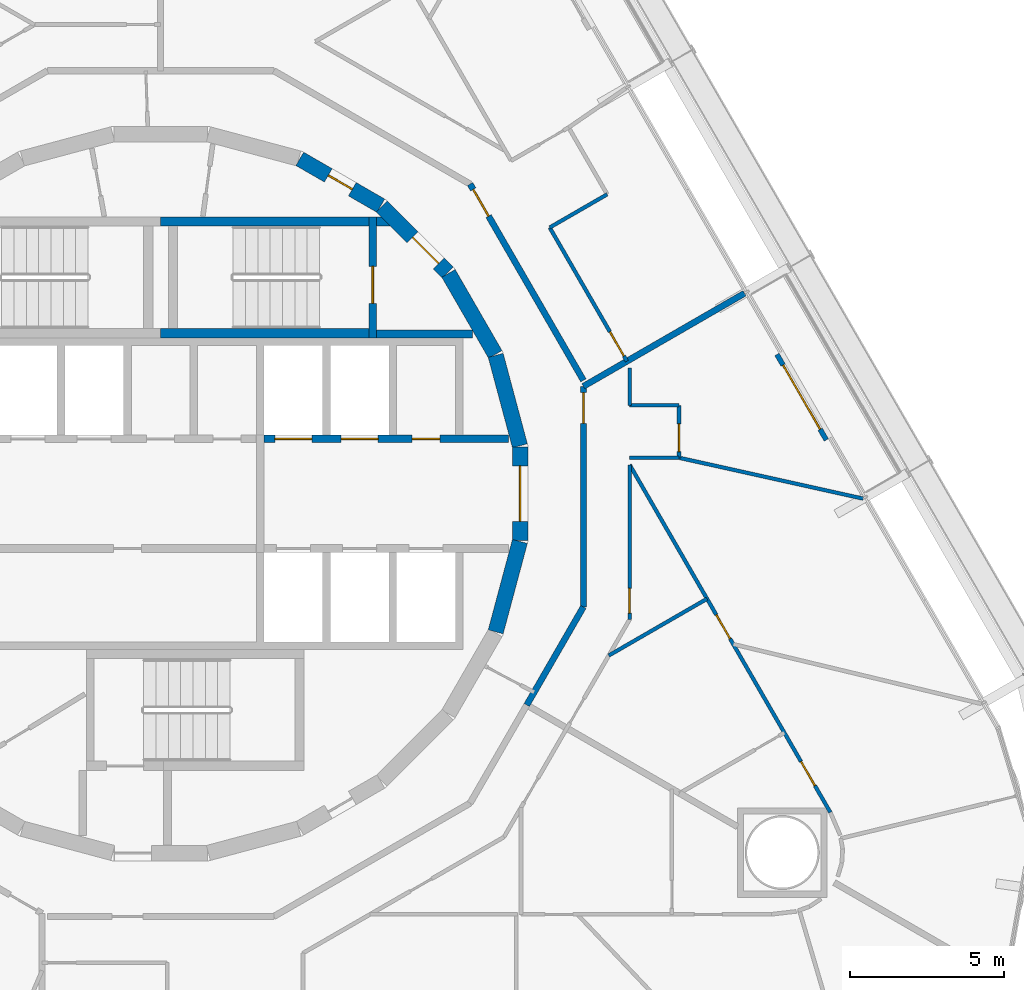
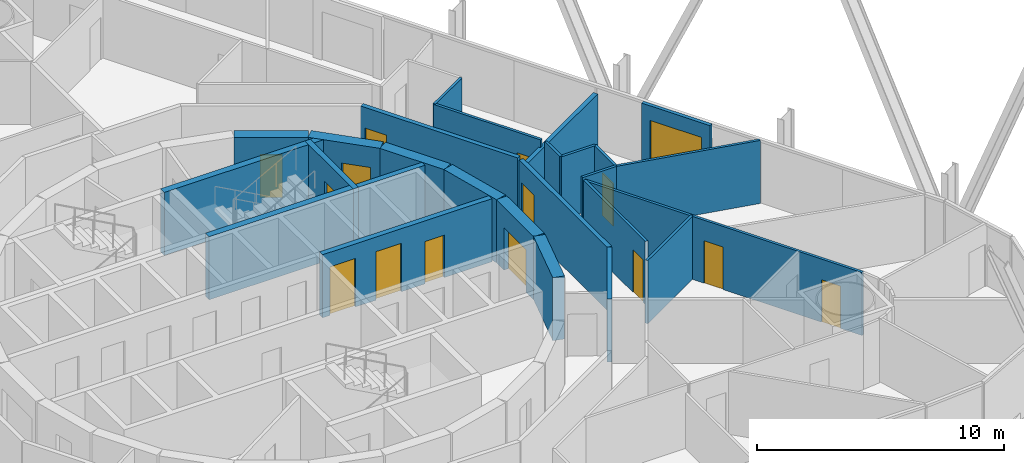
# One storey, part 19 of 22: 27 walls, 15 doors, 15 openings.
"""IFC4 building model written with IfcOpenShell, lengths in metres."""

from ifc_helpers import new_model, si_unit, direction, frame, frame_2d, origin, place, context, subcontext, project, spatial, polyline, rectangle, outline, extrude, material, layer, layer_set, type_object, element, fill, save


model = new_model("IFC4")

# Units and contexts
model_context = context("Model", 3, precision=1e-05, world=origin(), true_north=direction((0.0, 1.0)))
body_context = subcontext(model_context, "Body", "Model", "MODEL_VIEW")
ifc_project = project(units=[si_unit("LENGTHUNIT", "METRE"), si_unit("AREAUNIT", "SQUARE_METRE"), si_unit("VOLUMEUNIT", "CUBIC_METRE"), si_unit("PLANEANGLEUNIT", "RADIAN"), si_unit("MASSUNIT", "GRAM", prefix="KILO")], contexts=[model_context])

# Site, building, storey
site_placement = place(None, origin())
site = spatial("IfcSite", under=ifc_project, at=site_placement, CompositionType="ELEMENT")
building_placement = place(site_placement, origin())
building = spatial("IfcBuilding", under=site, at=building_placement, Name="Spindle Arch Residences", CompositionType="ELEMENT")
storey_placement = place(building_placement, frame((0.0, 0.0, 52.39990234375)))
storey = spatial("IfcBuildingStorey", under=building, at=storey_placement, Name="L11", CompositionType="ELEMENT", Elevation=52.39990234375)

# Wall
ifc_material_1 = material(Name="Concrete C50/60", Category="concrete")
ifc_layer_1 = layer(ifc_material_1, 0.5)
ifc_layer_set_1 = layer_set([ifc_layer_1], Name="Core outline wall 500")
wall_type_1 = type_object("IfcWallType", Name="Core outline wall 500", PredefinedType="SHEAR", material=ifc_layer_set_1)
wall_1_placement = place(storey_placement, frame((10.858154296875, -4.479248046875, 0.0), z_axis=(0.0, 0.0, 1.0), x_axis=(0.258734743916, 0.965948410781, 0.0)))
element("IfcWall", 1, at=wall_1_placement, inside=storey, type_object=wall_type_1, Name="Core outline wall 5", PredefinedType="SHEAR", context=body_context, shape_type="SweptSolid", body=[
    extrude(rectangle(XDim=3.03271484375, YDim=0.5, at=frame_2d((1.516357421875, 0.0))), origin(), (0.0, 0.0, 1.0), 3.1201171875),
])

# Wall, opening, door
wall_2_placement = place(storey_placement, frame((11.647216796875, -1.516357421875, 0.0), z_axis=(0.0, 0.0, 1.0), x_axis=(0.0, 1.0, 0.0)))
wall_2 = element("IfcWall", 2, at=wall_2_placement, inside=storey, type_object=wall_type_1, Name="Core outline wall 6", PredefinedType="SHEAR", context=body_context, shape_type="SweptSolid", body=[
    extrude(rectangle(XDim=3.03271484375, YDim=0.5, at=frame_2d((1.516357421875, 0.0))), origin(), (0.0, 0.0, 1.0), 3.1201171875),
])
opening_1_placement = place(wall_2_placement, frame((0.6162109375, 0.0, 0.0)))
opening_1 = element("IfcOpeningElement", 3, at=opening_1_placement, cuts=wall_2, Name="Opening R1B0-FE01", PredefinedType="OPENING", context=body_context, shape_type="SweptSolid", body=[
    extrude(rectangle(XDim=1.800048828125, YDim=2.10009765625, at=frame_2d((0.89990234375, 1.050048828125))), frame((0.0, 0.260009765625, 0.0), z_axis=(0.0, -1.0, 0.0), x_axis=(1.0, 0.0, 0.0)), (0.0, 0.0, 1.0), 0.52001953125),
])
ifc_material_2 = material(Name="Steel, fire-resisting door", Category="steel")
door_type_1 = type_object("IfcDoorType", Name="Fire-lift lobby door 1800x2100", OperationType="DOUBLE_DOOR_SINGLE_SWING", PredefinedType="DOOR", material=ifc_material_2)
door_1_placement = place(opening_1_placement, origin())
door_1 = element("IfcDoor", 4, at=door_1_placement, inside=storey, type_object=door_type_1, Name="Fire-lift lobby door R1B0-FE01", OperationType="DOUBLE_DOOR_SINGLE_SWING", OverallHeight=2.10009765625, OverallWidth=1.800048828125, PredefinedType="DOOR", context=body_context, shape_type="SweptSolid", body=[
    extrude(rectangle(XDim=1.800048828125, YDim=2.10009765625, at=frame_2d((0.89990234375, 1.050048828125))), frame((0.0, 0.02490234375, 0.0), z_axis=(0.0, -1.0, 0.0), x_axis=(1.0, 0.0, 0.0)), (0.0, 0.0, 1.0), 0.050048828125),
])
fill(opening_1, door_1)

# Walls
for number, where, z_axis, x_axis, name in (
    (5, (11.642822265625, 1.5498046875, 0.0), (0.0, 0.0, 1.0), (-0.258734743916, 0.965948410781, 0.0), "Core outline wall 7"),
    (6, (10.84521484375, 4.510498046875, 0.0), (0.0, 0.0, 1.0), (-0.500087131594, 0.865975092491, 0.0), "Core outline wall 8"),
):
    element("IfcWall", number, at=place(storey_placement, frame(where, z_axis=z_axis, x_axis=x_axis)), inside=storey, type_object=wall_type_1, Name=name, PredefinedType="SHEAR", context=body_context, shape_type="SweptSolid", body=[
        extrude(rectangle(XDim=3.03271484375, YDim=0.5, at=frame_2d((1.516357421875, 0.0))), origin(), (0.0, 0.0, 1.0), 3.1201171875),
    ])

# Wall, opening, door
wall_3_placement = place(storey_placement, frame((9.30810546875, 7.163818359375, 0.0), z_axis=(0.0, 0.0, 1.0), x_axis=(-0.707106781187, 0.707106781187, 0.0)))
wall_3 = element("IfcWall", 7, at=wall_3_placement, inside=storey, type_object=wall_type_1, Name="Core outline wall 9", PredefinedType="SHEAR", context=body_context, shape_type="SweptSolid", body=[
    extrude(rectangle(XDim=3.032470703125, YDim=0.5, at=frame_2d((1.51611328125, 0.0))), origin(), (0.0, 0.0, 1.0), 3.1201171875),
])
opening_2_placement = place(wall_3_placement, frame((0.416259765625, 0.0, 0.0)))
opening_2 = element("IfcOpeningElement", 8, at=opening_2_placement, cuts=wall_3, Name="Opening R1B0-AD01", PredefinedType="OPENING", context=body_context, shape_type="SweptSolid", body=[
    extrude(rectangle(XDim=1.199951171875, YDim=2.10009765625, at=frame_2d((0.60009765625, 1.050048828125))), frame((0.0, 0.260009765625, 0.0), z_axis=(0.0, -1.0, 0.0), x_axis=(1.0, 0.0, 0.0)), (0.0, 0.0, 1.0), 0.52001953125),
])
ifc_material_3 = material(Name="Steel, fire-resisting door", Category="steel")
door_type_2 = type_object("IfcDoorType", Name="Stair airlock door 1200x2100", OperationType="SINGLE_SWING_LEFT", PredefinedType="DOOR", material=ifc_material_3)
door_2_placement = place(opening_2_placement, origin())
door_2 = element("IfcDoor", 9, at=door_2_placement, inside=storey, type_object=door_type_2, Name="Stair airlock door R1B0-AD01", OperationType="SINGLE_SWING_RIGHT", OverallHeight=2.10009765625, OverallWidth=1.199951171875, PredefinedType="DOOR", context=body_context, shape_type="SweptSolid", body=[
    extrude(rectangle(XDim=1.199951171875, YDim=2.10009765625, at=frame_2d((0.60009765625, 1.050048828125))), frame((0.0, 0.02490234375, 0.0), z_axis=(0.0, -1.0, 0.0), x_axis=(1.0, 0.0, 0.0)), (0.0, 0.0, 1.0), 0.050048828125),
])
fill(opening_2, door_2)

wall_4_placement = place(storey_placement, frame((7.13671875, 9.32861328125, 0.0), z_axis=(0.0, 0.0, 1.0), x_axis=(-0.865975092491, 0.500087131594, 0.0)))
wall_4 = element("IfcWall", 10, at=wall_4_placement, inside=storey, type_object=wall_type_1, Name="Core outline wall 10", PredefinedType="SHEAR", context=body_context, shape_type="SweptSolid", body=[
    extrude(rectangle(XDim=3.03271484375, YDim=0.5, at=frame_2d((1.516357421875, 0.0))), origin(), (0.0, 0.0, 1.0), 3.1201171875),
])
opening_3_placement = place(wall_4_placement, frame((1.06640625, 0.0, 0.0)))
opening_3 = element("IfcOpeningElement", 11, at=opening_3_placement, cuts=wall_4, Name="Opening R1B0-WD10", PredefinedType="OPENING", context=body_context, shape_type="SweptSolid", body=[
    extrude(rectangle(XDim=0.89990234375, YDim=2.10009765625, at=frame_2d((0.449951171875, 1.050048828125))), frame((0.0, 0.260009765625, 0.0), z_axis=(0.0, -1.0, 0.0), x_axis=(1.0, 0.0, 0.0)), (0.0, 0.0, 1.0), 0.52001953125),
])
ifc_material_4 = material(Name="Steel, fire-resisting door", Category="steel")
door_type_3 = type_object("IfcDoorType", Name="Service room door 900x2100", OperationType="SINGLE_SWING_LEFT", PredefinedType="DOOR", material=ifc_material_4)
door_3_placement = place(opening_3_placement, origin())
door_3 = element("IfcDoor", 12, at=door_3_placement, inside=storey, type_object=door_type_3, Name="Service room door R1B0-WD10", OperationType="SINGLE_SWING_LEFT", OverallHeight=2.10009765625, OverallWidth=0.89990234375, PredefinedType="DOOR", context=body_context, shape_type="SweptSolid", body=[
    extrude(rectangle(XDim=0.89990234375, YDim=2.10009765625, at=frame_2d((0.449951171875, 1.050048828125))), frame((0.0, 0.02490234375, 0.0), z_axis=(0.0, -1.0, 0.0), x_axis=(1.0, 0.0, 0.0)), (0.0, 0.0, 1.0), 0.050048828125),
])
fill(opening_3, door_3)

ifc_material_5 = material(Name="Calcium silicate block, plastered")
ifc_layer_2 = layer(ifc_material_5, 0.199951171875)
ifc_layer_set_2 = layer_set([ifc_layer_2], Name="Corridor wall 200")
wall_type_2 = type_object("IfcWallType", Name="Corridor wall 200", PredefinedType="STANDARD", material=ifc_layer_set_2)
wall_5_placement = place(storey_placement, frame((13.699951171875, 3.6708984375, 0.0), z_axis=(0.0, 0.0, 1.0), x_axis=(-0.500001669485, 0.866024439905, 0.0)))
wall_5 = element("IfcWall", 13, at=wall_5_placement, inside=storey, type_object=wall_type_2, Name="Corridor wall R1B0-W004", PredefinedType="STANDARD", context=body_context, shape_type="SweptSolid", body=[
    extrude(rectangle(XDim=7.341796875, YDim=0.199951171875, at=frame_2d((3.6708984375, 0.0))), origin(), (0.0, 0.0, 1.0), 3.1201171875),
])
opening_4_placement = place(wall_5_placement, frame((6.141845703125, 0.0, 0.0)))
opening_4 = element("IfcOpeningElement", 14, at=opening_4_placement, cuts=wall_5, Name="Opening R1B0-FD01", PredefinedType="OPENING", context=body_context, shape_type="SweptSolid", body=[
    extrude(rectangle(XDim=1.0, YDim=2.10009765625, at=frame_2d((0.5, 1.050048828125))), frame((0.0, 0.10986328125, 0.0), z_axis=(0.0, -1.0, 0.0), x_axis=(1.0, 0.0, 0.0)), (0.0, 0.0, 1.0), 0.219970703125),
])
ifc_material_6 = material(Name="Timber, fire-resisting door set", Category="wood")
door_type_4 = type_object("IfcDoorType", Name="Flat entrance door 1000x2100", OperationType="NOTDEFINED", PredefinedType="DOOR", material=ifc_material_6)
door_4_placement = place(opening_4_placement, origin())
door_4 = element("IfcDoor", 15, at=door_4_placement, inside=storey, type_object=door_type_4, Name="Flat entrance door R1B0-FD01", OperationType="SINGLE_SWING_RIGHT", OverallHeight=2.10009765625, OverallWidth=1.0, PredefinedType="DOOR", context=body_context, shape_type="SweptSolid", body=[
    extrude(rectangle(XDim=1.0, YDim=2.10009765625, at=frame_2d((0.5, 1.050048828125))), frame((0.0, 0.02490234375, 0.0), z_axis=(0.0, -1.0, 0.0), x_axis=(1.0, 0.0, 0.0)), (0.0, 0.0, 1.0), 0.050048828125),
])
fill(opening_4, door_4)

# Wall
wall_6_placement = place(storey_placement, frame((11.864501953125, -6.85009765625, 0.0), z_axis=(0.0, 0.0, 1.0), x_axis=(0.499987270552, 0.86603275301, 0.0)))
element("IfcWall", 16, at=wall_6_placement, inside=storey, type_object=wall_type_2, Name="Corridor wall R1B0-W007", PredefinedType="STANDARD", context=body_context, shape_type="SweptSolid", body=[
    extrude(rectangle(XDim=3.6708984375, YDim=0.199951171875, at=frame_2d((1.83544921875, 0.0))), origin(), (0.0, 0.0, 1.0), 3.1201171875),
])

# Wall, opening, door
wall_7_placement = place(storey_placement, frame((13.699951171875, -3.6708984375, 0.0), z_axis=(0.0, 0.0, 1.0), x_axis=(0.0, 1.0, 0.0)))
wall_7 = element("IfcWall", 17, at=wall_7_placement, inside=storey, type_object=wall_type_2, Name="Corridor wall R1B0-W008", PredefinedType="STANDARD", context=body_context, shape_type="SweptSolid", body=[
    extrude(rectangle(XDim=7.146484375, YDim=0.199951171875, at=frame_2d((3.5732421875, 0.0))), origin(), (0.0, 0.0, 1.0), 3.1201171875),
])
opening_5_placement = place(wall_7_placement, frame((5.946533203125, 0.0, 0.0)))
opening_5 = element("IfcOpeningElement", 18, at=opening_5_placement, cuts=wall_7, Name="Opening R1B0-FD06", PredefinedType="OPENING", context=body_context, shape_type="SweptSolid", body=[
    extrude(rectangle(XDim=1.0, YDim=2.10009765625, at=frame_2d((0.5, 1.050048828125))), frame((0.0, 0.10986328125, 0.0), z_axis=(0.0, -1.0, 0.0), x_axis=(1.0, 0.0, 0.0)), (0.0, 0.0, 1.0), 0.219970703125),
])
door_5_placement = place(opening_5_placement, origin())
door_5 = element("IfcDoor", 19, at=door_5_placement, inside=storey, type_object=door_type_4, Name="Flat entrance door R1B0-FD06", OperationType="SINGLE_SWING_LEFT", OverallHeight=2.10009765625, OverallWidth=1.0, PredefinedType="DOOR", context=body_context, shape_type="SweptSolid", body=[
    extrude(rectangle(XDim=1.0, YDim=2.10009765625, at=frame_2d((0.5, 1.050048828125))), frame((0.0, 0.02490234375, 0.0), z_axis=(0.0, -1.0, 0.0), x_axis=(1.0, 0.0, 0.0)), (0.0, 0.0, 1.0), 0.050048828125),
])
fill(opening_5, door_5)

# Wall, openings, doors
ifc_material_7 = material(Name="Concrete C40/50", Category="concrete")
ifc_layer_3 = layer(ifc_material_7, 0.25)
ifc_layer_set_3 = layer_set([ifc_layer_3], Name="Fire-lift lobby wall 250")
wall_type_3 = type_object("IfcWallType", Name="Fire-lift lobby wall 250", PredefinedType="SHEAR", material=ifc_layer_set_3)
wall_8_placement = place(storey_placement, frame((3.35009765625, 1.77490234375, 0.0), z_axis=(0.0, 0.0, 1.0), x_axis=(1.0, 0.0, 0.0)))
wall_8 = element("IfcWall", 20, at=wall_8_placement, inside=storey, type_object=wall_type_3, Name="Lift shaft front wall NE", PredefinedType="SHEAR", context=body_context, shape_type="SweptSolid", body=[
    extrude(rectangle(XDim=7.929931640625, YDim=0.25, at=frame_2d((3.96484375, 0.0))), origin(), (0.0, 0.0, 1.0), 3.1201171875),
])
opening_6_placement = place(wall_8_placement, frame((0.35009765625, 0.0, 0.0)))
opening_6 = element("IfcOpeningElement", 21, at=opening_6_placement, cuts=wall_8, Name="Opening R1B0-SLD01", PredefinedType="OPENING", context=body_context, shape_type="SweptSolid", body=[
    extrude(rectangle(XDim=1.199951171875, YDim=2.39990234375, at=frame_2d((0.60009765625, 1.199951171875))), frame((0.0, 0.135009765625, 0.0), z_axis=(0.0, -1.0, 0.0), x_axis=(1.0, 0.0, 0.0)), (0.0, 0.0, 1.0), 0.27001953125),
])
opening_7_placement = place(wall_8_placement, frame((2.5, 0.0, 0.0)))
opening_7 = element("IfcOpeningElement", 22, at=opening_7_placement, cuts=wall_8, Name="Opening R1B0-SLD02", PredefinedType="OPENING", context=body_context, shape_type="SweptSolid", body=[
    extrude(rectangle(XDim=1.199951171875, YDim=2.39990234375, at=frame_2d((0.60009765625, 1.199951171875))), frame((0.0, 0.135009765625, 0.0), z_axis=(0.0, -1.0, 0.0), x_axis=(1.0, 0.0, 0.0)), (0.0, 0.0, 1.0), 0.27001953125),
])
opening_8_placement = place(wall_8_placement, frame((4.800048828125, 0.0, 0.0)))
opening_8 = element("IfcOpeningElement", 23, at=opening_8_placement, cuts=wall_8, Name="Opening R1B0-WD03", PredefinedType="OPENING", context=body_context, shape_type="SweptSolid", body=[
    extrude(rectangle(XDim=0.89990234375, YDim=2.10009765625, at=frame_2d((0.449951171875, 1.050048828125))), frame((0.0, 0.135009765625, 0.0), z_axis=(0.0, -1.0, 0.0), x_axis=(1.0, 0.0, 0.0)), (0.0, 0.0, 1.0), 0.27001953125),
])
ifc_material_8 = material(Name="Steel, fire-resisting landing door", Category="steel")
door_type_5 = type_object("IfcDoorType", Name="Service lift landing door 1200x2400", OperationType="DOUBLE_DOOR_SLIDING", PredefinedType="DOOR", material=ifc_material_8)
door_6_placement = place(opening_6_placement, origin())
door_6 = element("IfcDoor", 24, at=door_6_placement, inside=storey, type_object=door_type_5, Name="Service lift landing door R1B0-SLD01", OperationType="DOUBLE_DOOR_SLIDING", OverallHeight=2.39990234375, OverallWidth=1.199951171875, PredefinedType="DOOR", context=body_context, shape_type="SweptSolid", body=[
    extrude(rectangle(XDim=1.199951171875, YDim=2.39990234375, at=frame_2d((0.60009765625, 1.199951171875))), frame((0.0, 0.02490234375, 0.0), z_axis=(0.0, -1.0, 0.0), x_axis=(1.0, 0.0, 0.0)), (0.0, 0.0, 1.0), 0.050048828125),
])
fill(opening_6, door_6)
door_7_placement = place(opening_7_placement, origin())
door_7 = element("IfcDoor", 25, at=door_7_placement, inside=storey, type_object=door_type_5, Name="Service lift landing door R1B0-SLD02", OperationType="DOUBLE_DOOR_SLIDING", OverallHeight=2.39990234375, OverallWidth=1.199951171875, PredefinedType="DOOR", context=body_context, shape_type="SweptSolid", body=[
    extrude(rectangle(XDim=1.199951171875, YDim=2.39990234375, at=frame_2d((0.60009765625, 1.199951171875))), frame((0.0, 0.02490234375, 0.0), z_axis=(0.0, -1.0, 0.0), x_axis=(1.0, 0.0, 0.0)), (0.0, 0.0, 1.0), 0.050048828125),
])
fill(opening_7, door_7)
door_8_placement = place(opening_8_placement, origin())
door_8 = element("IfcDoor", 26, at=door_8_placement, inside=storey, type_object=door_type_3, Name="Service room door R1B0-WD03", OperationType="SINGLE_SWING_RIGHT", OverallHeight=2.10009765625, OverallWidth=0.89990234375, PredefinedType="DOOR", context=body_context, shape_type="SweptSolid", body=[
    extrude(rectangle(XDim=0.89990234375, YDim=2.10009765625, at=frame_2d((0.449951171875, 1.050048828125))), frame((0.0, 0.02490234375, 0.0), z_axis=(0.0, -1.0, 0.0), x_axis=(1.0, 0.0, 0.0)), (0.0, 0.0, 1.0), 0.050048828125),
])
fill(opening_8, door_8)

# Wall, opening, door
ifc_material_9 = material(Name="Plasterboard on steel studs", Category="steel")
ifc_layer_4 = layer(ifc_material_9, 0.1201171875)
ifc_layer_set_4 = layer_set([ifc_layer_4], Name="Flat partition 120")
wall_type_4 = type_object("IfcWallType", Name="Flat partition 120", PredefinedType="PARTITIONING", material=ifc_layer_set_4)
wall_9_placement = place(storey_placement, frame((15.109619140625, 4.289306640625, 0.0), z_axis=(0.0, 0.0, 1.0), x_axis=(-0.500033654285, 0.866005972602, 0.0)))
wall_9 = element("IfcWall", 27, at=wall_9_placement, inside=storey, type_object=wall_type_4, Name="Flat partition R1B0-W029", PredefinedType="PARTITIONING", context=body_context, shape_type="SweptSolid", body=[
    extrude(rectangle(XDim=5.002685546875, YDim=0.1201171875, at=frame_2d((2.50146484375, 0.0))), origin(), (0.0, 0.0, 1.0), 3.1201171875),
])
opening_9_placement = place(wall_9_placement, frame((0.199951171875, 0.0, 0.0)))
opening_9 = element("IfcOpeningElement", 28, at=opening_9_placement, cuts=wall_9, Name="Opening R1B0-ID01", PredefinedType="OPENING", context=body_context, shape_type="SweptSolid", body=[
    extrude(rectangle(XDim=0.89990234375, YDim=2.10009765625, at=frame_2d((0.449951171875, 1.050048828125))), frame((0.0, 0.070068359375, 0.0), z_axis=(0.0, -1.0, 0.0), x_axis=(1.0, 0.0, 0.0)), (0.0, 0.0, 1.0), 0.14013671875),
])
ifc_material_10 = material(Name="Timber door set", Category="wood")
door_type_6 = type_object("IfcDoorType", Name="Room door 900x2100", OperationType="NOTDEFINED", PredefinedType="DOOR", material=ifc_material_10)
door_9_placement = place(opening_9_placement, origin())
door_9 = element("IfcDoor", 29, at=door_9_placement, inside=storey, type_object=door_type_6, Name="Room door R1B0-ID01", OperationType="SINGLE_SWING_LEFT", OverallHeight=2.10009765625, OverallWidth=0.89990234375, PredefinedType="DOOR", context=body_context, shape_type="SweptSolid", body=[
    extrude(rectangle(XDim=0.89990234375, YDim=2.10009765625, at=frame_2d((0.449951171875, 1.050048828125))), frame((0.0, 0.02490234375, 0.0), z_axis=(0.0, -1.0, 0.0), x_axis=(1.0, 0.0, 0.0)), (0.0, 0.0, 1.0), 0.050048828125),
])
fill(opening_9, door_9)

# Wall
wall_10_placement = place(storey_placement, frame((12.608154296875, 8.62158203125, 0.0), z_axis=(0.0, 0.0, 1.0), x_axis=(0.866005997533, 0.500033611107, 0.0)))
element("IfcWall", 30, at=wall_10_placement, inside=storey, type_object=wall_type_4, Name="Flat partition R1B0-W030", PredefinedType="PARTITIONING", context=body_context, shape_type="SweptSolid", body=[
    extrude(rectangle(XDim=2.150634765625, YDim=0.1201171875, at=frame_2d((1.0751953125, 0.0))), origin(), (0.0, 0.0, 1.0), 3.1201171875),
])

# Wall, opening, door
wall_11_placement = place(storey_placement, frame((16.80029296875, 1.16162109375, 0.0), z_axis=(0.0, 0.0, 1.0), x_axis=(0.0, 1.0, 0.0)))
wall_11 = element("IfcWall", 31, at=wall_11_placement, inside=storey, type_object=wall_type_4, Name="Flat partition R1B0-W111", PredefinedType="PARTITIONING", context=body_context, shape_type="SweptSolid", body=[
    extrude(rectangle(XDim=1.7001953125, YDim=0.1201171875, at=frame_2d((0.85009765625, 0.0))), origin(), (0.0, 0.0, 1.0), 3.1201171875),
])
opening_10_placement = place(wall_11_placement, frame((0.199951171875, 0.0, 0.0)))
opening_10 = element("IfcOpeningElement", 32, at=opening_10_placement, cuts=wall_11, Name="Opening R1B0-ID31", PredefinedType="OPENING", context=body_context, shape_type="SweptSolid", body=[
    extrude(rectangle(XDim=0.89990234375, YDim=2.10009765625, at=frame_2d((0.449951171875, 1.050048828125))), frame((0.0, 0.070068359375, 0.0), z_axis=(0.0, -1.0, 0.0), x_axis=(1.0, 0.0, 0.0)), (0.0, 0.0, 1.0), 0.14013671875),
])
door_10_placement = place(opening_10_placement, origin())
door_10 = element("IfcDoor", 33, at=door_10_placement, inside=storey, type_object=door_type_6, Name="Room door R1B0-ID31", OperationType="SINGLE_SWING_LEFT", OverallHeight=2.10009765625, OverallWidth=0.89990234375, PredefinedType="DOOR", context=body_context, shape_type="SweptSolid", body=[
    extrude(rectangle(XDim=0.89990234375, YDim=2.10009765625, at=frame_2d((0.449951171875, 1.050048828125))), frame((0.0, 0.02490234375, 0.0), z_axis=(0.0, -1.0, 0.0), x_axis=(1.0, 0.0, 0.0)), (0.0, 0.0, 1.0), 0.050048828125),
])
fill(opening_10, door_10)

# Walls
wall_12_placement = place(storey_placement, frame((16.80029296875, 2.86181640625, 0.0), z_axis=(0.0, 0.0, 1.0), x_axis=(-1.0, 0.0, 0.0)))
element("IfcWall", 34, at=wall_12_placement, inside=storey, type_object=wall_type_4, Name="Flat partition R1B0-W112", PredefinedType="PARTITIONING", context=body_context, shape_type="SweptSolid", body=[
    extrude(rectangle(XDim=1.600341796875, YDim=0.1201171875, at=frame_2d((0.80029296875, 0.0))), origin(), (0.0, 0.0, 1.0), 3.1201171875),
])
wall_13_placement = place(storey_placement, frame((15.199951171875, 2.86181640625, 0.0), z_axis=(0.0, 0.0, 1.0), x_axis=(0.0, 1.0, 0.0)))
element("IfcWall", 35, at=wall_13_placement, inside=storey, type_object=wall_type_4, Name="Flat partition R1B0-W113", PredefinedType="PARTITIONING", context=body_context, shape_type="SweptSolid", body=[
    extrude(rectangle(XDim=1.2109375, YDim=0.1201171875, at=frame_2d((0.60546875, 0.0))), origin(), (0.0, 0.0, 1.0), 3.1201171875),
])

# Wall, opening, door
wall_14_placement = place(storey_placement, frame((15.199951171875, -4.07275390625, 0.0), z_axis=(0.0, 0.0, 1.0), x_axis=(0.0, 1.0, 0.0)))
wall_14 = element("IfcWall", 36, at=wall_14_placement, inside=storey, type_object=wall_type_4, Name="Flat partition R1B0-W114", PredefinedType="PARTITIONING", context=body_context, shape_type="SweptSolid", body=[
    extrude(rectangle(XDim=5.00537109375, YDim=0.1201171875, at=frame_2d((2.502685546875, 0.0))), origin(), (0.0, 0.0, 1.0), 3.1201171875),
])
opening_11_placement = place(wall_14_placement, frame((0.199951171875, 0.0, 0.0)))
opening_11 = element("IfcOpeningElement", 37, at=opening_11_placement, cuts=wall_14, Name="Opening R1B0-BD06", PredefinedType="OPENING", context=body_context, shape_type="SweptSolid", body=[
    extrude(rectangle(XDim=0.800048828125, YDim=2.10009765625, at=frame_2d((0.39990234375, 1.050048828125))), frame((0.0, 0.070068359375, 0.0), z_axis=(0.0, -1.0, 0.0), x_axis=(1.0, 0.0, 0.0)), (0.0, 0.0, 1.0), 0.14013671875),
])
ifc_material_11 = material(Name="Timber door set", Category="wood")
door_type_7 = type_object("IfcDoorType", Name="Bathroom door 800x2100", OperationType="NOTDEFINED", PredefinedType="DOOR", material=ifc_material_11)
door_11_placement = place(opening_11_placement, origin())
door_11 = element("IfcDoor", 38, at=door_11_placement, inside=storey, type_object=door_type_7, Name="Bathroom door R1B0-BD06", OperationType="SINGLE_SWING_LEFT", OverallHeight=2.10009765625, OverallWidth=0.800048828125, PredefinedType="DOOR", context=body_context, shape_type="SweptSolid", body=[
    extrude(rectangle(XDim=0.800048828125, YDim=2.10009765625, at=frame_2d((0.39990234375, 1.050048828125))), frame((0.0, 0.02490234375, 0.0), z_axis=(0.0, -1.0, 0.0), x_axis=(1.0, 0.0, 0.0)), (0.0, 0.0, 1.0), 0.050048828125),
])
fill(opening_11, door_11)

# Walls
wall_15_placement = place(storey_placement, frame((15.199951171875, 1.16162109375, 0.0), z_axis=(0.0, 0.0, 1.0), x_axis=(1.0, 0.0, 0.0)))
element("IfcWall", 39, at=wall_15_placement, inside=storey, type_object=wall_type_4, Name="Flat partition R1B0-W115", PredefinedType="PARTITIONING", context=body_context, shape_type="SweptSolid", body=[
    extrude(rectangle(XDim=1.600341796875, YDim=0.1201171875, at=frame_2d((0.80029296875, 0.0))), origin(), (0.0, 0.0, 1.0), 3.1201171875),
])
wall_16_placement = place(storey_placement, frame((16.80029296875, 1.16162109375, 0.0), z_axis=(0.0, 0.0, 1.0), x_axis=(0.976218101949, -0.216790722652, 0.0)))
element("IfcWall", 40, at=wall_16_placement, inside=storey, type_object=wall_type_4, Name="Flat partition R1B0-W116", PredefinedType="PARTITIONING", context=body_context, shape_type="SweptSolid", body=[
    extrude(rectangle(XDim=6.10498046875, YDim=0.1201171875, at=frame_2d((3.052490234375, 0.0))), origin(), (0.0, 0.0, 1.0), 3.1201171875),
])

# Wall, openings, doors
wall_17_placement = place(storey_placement, frame((21.700927734375, -10.3271484375, 0.0), z_axis=(0.0, 0.0, 1.0), x_axis=(-0.500008528526, 0.866020479782, 0.0)))
wall_17 = element("IfcWall", 41, at=wall_17_placement, inside=storey, type_object=wall_type_4, Name="Flat partition R1B0-W122", PredefinedType="PARTITIONING", context=body_context, shape_type="SweptSolid", body=[
    extrude(rectangle(XDim=13.001708984375, YDim=0.1201171875, at=frame_2d((6.5009765625, 0.0))), origin(), (0.0, 0.0, 1.0), 3.1201171875),
])
opening_12_placement = place(wall_17_placement, frame((6.490478515625, 0.0, 0.0)))
opening_12 = element("IfcOpeningElement", 42, at=opening_12_placement, cuts=wall_17, Name="Opening R1B0-ID33", PredefinedType="OPENING", context=body_context, shape_type="SweptSolid", body=[
    extrude(rectangle(XDim=0.89990234375, YDim=2.10009765625, at=frame_2d((0.449951171875, 1.050048828125))), frame((0.0, 0.070068359375, 0.0), z_axis=(0.0, -1.0, 0.0), x_axis=(1.0, 0.0, 0.0)), (0.0, 0.0, 1.0), 0.14013671875),
])
opening_13_placement = place(wall_17_placement, frame((1.0, 0.0, 0.0)))
opening_13 = element("IfcOpeningElement", 43, at=opening_13_placement, cuts=wall_17, Name="Opening R1B0-ID35", PredefinedType="OPENING", context=body_context, shape_type="SweptSolid", body=[
    extrude(rectangle(XDim=0.89990234375, YDim=2.10009765625, at=frame_2d((0.449951171875, 1.050048828125))), frame((0.0, 0.070068359375, 0.0), z_axis=(0.0, -1.0, 0.0), x_axis=(1.0, 0.0, 0.0)), (0.0, 0.0, 1.0), 0.14013671875),
])
door_12_placement = place(opening_12_placement, origin())
door_12 = element("IfcDoor", 44, at=door_12_placement, inside=storey, type_object=door_type_6, Name="Room door R1B0-ID33", OperationType="SINGLE_SWING_LEFT", OverallHeight=2.10009765625, OverallWidth=0.89990234375, PredefinedType="DOOR", context=body_context, shape_type="SweptSolid", body=[
    extrude(rectangle(XDim=0.89990234375, YDim=2.10009765625, at=frame_2d((0.449951171875, 1.050048828125))), frame((0.0, 0.02490234375, 0.0), z_axis=(0.0, -1.0, 0.0), x_axis=(1.0, 0.0, 0.0)), (0.0, 0.0, 1.0), 0.050048828125),
])
fill(opening_12, door_12)
door_13_placement = place(opening_13_placement, origin())
door_13 = element("IfcDoor", 45, at=door_13_placement, inside=storey, type_object=door_type_6, Name="Room door R1B0-ID35", OperationType="SINGLE_SWING_LEFT", OverallHeight=2.10009765625, OverallWidth=0.89990234375, PredefinedType="DOOR", context=body_context, shape_type="SweptSolid", body=[
    extrude(rectangle(XDim=0.89990234375, YDim=2.10009765625, at=frame_2d((0.449951171875, 1.050048828125))), frame((0.0, 0.02490234375, 0.0), z_axis=(0.0, -1.0, 0.0), x_axis=(1.0, 0.0, 0.0)), (0.0, 0.0, 1.0), 0.050048828125),
])
fill(opening_13, door_13)

# Walls
wall_18_placement = place(storey_placement, frame((17.7060546875, -3.407958984375, 0.0), z_axis=(0.0, 0.0, 1.0), x_axis=(-0.866027421574, -0.49999650507, 0.0)))
element("IfcWall", 46, at=wall_18_placement, inside=storey, type_object=wall_type_4, Name="Flat partition R1B0-W124", PredefinedType="PARTITIONING", context=body_context, shape_type="SweptSolid", body=[
    extrude(rectangle(XDim=3.67578125, YDim=0.1201171875, at=frame_2d((1.837890625, 0.0))), origin(), (0.0, 0.0, 1.0), 3.1201171875),
])
ifc_material_12 = material(Name="Calcium silicate block, plastered")
ifc_layer_5 = layer(ifc_material_12, 0.199951171875)
ifc_layer_set_5 = layer_set([ifc_layer_5], Name="Flat party wall 200 under beam 2730")
wall_type_5 = type_object("IfcWallType", Name="Flat party wall 200 under beam 2730", PredefinedType="STANDARD", material=ifc_layer_set_5)
wall_19_placement = place(storey_placement, frame((13.699951171875, 3.4755859375, 0.0), z_axis=(0.0, 0.0, 1.0), x_axis=(0.866013584312, 0.500020471368, 0.0)))
element("IfcWall", 47, at=wall_19_placement, inside=storey, type_object=wall_type_5, Name="Flat party wall R1B0-W018", PredefinedType="STANDARD", context=body_context, shape_type="SweptSolid", body=[
    extrude(rectangle(XDim=6.027587890625, YDim=0.199951171875, at=frame_2d((3.013671875, 0.0))), origin(), (0.0, 0.0, 1.0), 2.72998046875),
])

# Wall, opening, door
ifc_material_13 = material(Name="Non-combustible mineral wool insulated aluminium faced external wall (K0)", Category="aluminium")
ifc_layer_6 = layer(ifc_material_13, 0.159912109375)
ifc_layer_set_6 = layer_set([ifc_layer_6], Name="Insulated external wall panel 160")
wall_type_6 = type_object("IfcWallType", Name="Insulated external wall panel 160", PredefinedType="STANDARD", material=ifc_layer_set_6)
wall_20_placement = place(storey_placement, frame((21.57080078125, 1.73828125, 0.0), z_axis=(0.0, 0.0, 1.0), x_axis=(-0.500028443584, 0.866008981251, 0.0)))
wall_20 = element("IfcWall", 48, at=wall_20_placement, inside=storey, type_object=wall_type_6, Name="External wall L11 bay 7", PredefinedType="STANDARD", context=body_context, shape_type="SweptSolid", body=[
    extrude(rectangle(XDim=3.199951171875, YDim=0.159912109375, at=frame_2d((1.60009765625, 0.0))), origin(), (0.0, 0.0, 1.0), 3.1201171875),
])
opening_14_placement = place(wall_20_placement, frame((0.39990234375, 0.0, 0.0)))
opening_14 = element("IfcOpeningElement", 49, at=opening_14_placement, cuts=wall_20, Name="Opening BD07", PredefinedType="OPENING", context=body_context, shape_type="SweptSolid", body=[
    extrude(rectangle(XDim=2.39990234375, YDim=2.39990234375, at=frame_2d((1.199951171875, 1.199951171875))), frame((0.0, 0.08984375, 0.0), z_axis=(0.0, -1.0, 0.0), x_axis=(1.0, 0.0, 0.0)), (0.0, 0.0, 1.0), 0.179931640625),
])
ifc_material_14 = material(Name="Bronze aluminium frame, tinted double glazing", Category="aluminium")
door_type_8 = type_object("IfcDoorType", Name="Sliding glazed balcony door 2400x2400", OperationType="DOUBLE_DOOR_SLIDING", PredefinedType="DOOR", material=ifc_material_14)
door_14_placement = place(opening_14_placement, origin())
door_14 = element("IfcDoor", 50, at=door_14_placement, inside=storey, type_object=door_type_8, Name="Balcony door BD07", OperationType="DOUBLE_DOOR_SLIDING", OverallHeight=2.39990234375, OverallWidth=2.39990234375, PredefinedType="DOOR", context=body_context, shape_type="SweptSolid", body=[
    extrude(rectangle(XDim=2.39990234375, YDim=2.39990234375, at=frame_2d((1.199951171875, 1.199951171875))), frame((0.0, 0.02490234375, 0.0), z_axis=(0.0, -1.0, 0.0), x_axis=(1.0, 0.0, 0.0)), (0.0, 0.0, 1.0), 0.050048828125),
])
fill(opening_14, door_14)

# Walls
ifc_material_15 = material(Name="Concrete C40/50", Category="concrete")
ifc_layer_7 = layer(ifc_material_15, 0.25)
ifc_layer_set_7 = layer_set([ifc_layer_7], Name="Stair airlock wall 250")
wall_type_7 = type_object("IfcWallType", Name="Stair airlock wall 250", PredefinedType="SHEAR", material=ifc_layer_set_7)
wall_21_placement = place(storey_placement, frame((7.0, 5.175048828125, 0.0), z_axis=(0.0, 0.0, 1.0), x_axis=(1.0, 0.0, 0.0)))
element("IfcWall", 51, at=wall_21_placement, inside=storey, type_object=wall_type_7, Name="Stair ST-1 airlock wall S", PredefinedType="SHEAR", context=body_context, shape_type="SweptSolid", body=[
    extrude(rectangle(XDim=3.10009765625, YDim=0.25, at=frame_2d((1.550048828125, 0.0))), origin(), (0.0, 0.0, 1.0), 3.1201171875),
])
ifc_material_16 = material(Name="Concrete C40/50", Category="concrete")
wall_type_8 = type_object("IfcWallType", Name="Stair airlock wall profile", PredefinedType="SHEAR", material=ifc_material_16)
wall_22_placement = place(storey_placement, origin())
element("IfcWall", 52, at=wall_22_placement, inside=storey, type_object=wall_type_8, Name="Stair ST-1 airlock wall N", PredefinedType="SHEAR", context=body_context, shape_type="SweptSolid", body=[
    extrude(outline(polyline([(7.4482421875, 8.669921875), (7.0, 8.669921875), (7.0, 8.969970703125), (7.148193359375, 8.969970703125), (7.4482421875, 8.669921875)])), origin(), (0.0, 0.0, 1.0), 3.1201171875),
])

# Wall, opening, door
ifc_material_17 = material(Name="Concrete C50/60", Category="concrete")
ifc_layer_8 = layer(ifc_material_17, 0.25)
ifc_layer_set_8 = layer_set([ifc_layer_8], Name="Stair enclosure wall 250")
wall_type_9 = type_object("IfcWallType", Name="Stair enclosure wall 250", PredefinedType="SHEAR", material=ifc_layer_set_8)
wall_23_placement = place(storey_placement, frame((6.875, 5.050048828125, 0.0), z_axis=(0.0, 0.0, 1.0), x_axis=(0.0, 1.0, 0.0)))
wall_23 = element("IfcWall", 53, at=wall_23_placement, inside=storey, type_object=wall_type_9, Name="Stair ST-1 door wall", PredefinedType="SHEAR", context=body_context, shape_type="SweptSolid", body=[
    extrude(rectangle(XDim=3.919921875, YDim=0.25, at=frame_2d((1.9599609375, 0.0))), origin(), (0.0, 0.0, 1.0), 3.1201171875),
])
opening_15_placement = place(wall_23_placement, frame((1.110107421875, 0.0, 0.0)))
opening_15 = element("IfcOpeningElement", 54, at=opening_15_placement, cuts=wall_23, Name="Opening R1B0-SD01", PredefinedType="OPENING", context=body_context, shape_type="SweptSolid", body=[
    extrude(rectangle(XDim=1.199951171875, YDim=2.10009765625, at=frame_2d((0.60009765625, 1.050048828125))), frame((0.0, 0.135009765625, 0.0), z_axis=(0.0, -1.0, 0.0), x_axis=(1.0, 0.0, 0.0)), (0.0, 0.0, 1.0), 0.27001953125),
])
ifc_material_18 = material(Name="Steel, fire-resisting door", Category="steel")
door_type_9 = type_object("IfcDoorType", Name="Stair door 1200x2100", OperationType="SINGLE_SWING_RIGHT", PredefinedType="DOOR", material=ifc_material_18)
door_15_placement = place(opening_15_placement, origin())
door_15 = element("IfcDoor", 55, at=door_15_placement, inside=storey, type_object=door_type_9, Name="Stair door R1B0-SD01", OperationType="SINGLE_SWING_LEFT", OverallHeight=2.10009765625, OverallWidth=1.199951171875, PredefinedType="DOOR", context=body_context, shape_type="SweptSolid", body=[
    extrude(rectangle(XDim=1.199951171875, YDim=2.10009765625, at=frame_2d((0.60009765625, 1.050048828125))), frame((0.0, 0.02490234375, 0.0), z_axis=(0.0, -1.0, 0.0), x_axis=(1.0, 0.0, 0.0)), (0.0, 0.0, 1.0), 0.050048828125),
])
fill(opening_15, door_15)

# Walls
ifc_material_19 = material(Name="Concrete C50/60", Category="concrete")
ifc_layer_9 = layer(ifc_material_19, 0.300048828125)
ifc_layer_set_9 = layer_set([ifc_layer_9], Name="Stair enclosure wall 300")
wall_type_10 = type_object("IfcWallType", Name="Stair enclosure wall 300", PredefinedType="SHEAR", material=ifc_layer_set_9)
for number, where, z_axis, x_axis, name in (
    (56, (0.0, 5.199951171875, 0.0), (0.0, 0.0, 1.0), (1.0, 0.0, 0.0), "Stair ST-1 enclosure wall S"),
    (57, (0.0, 8.820068359375, 0.0), (0.0, 0.0, 1.0), (1.0, 0.0, 0.0), "Stair ST-1 enclosure wall N"),
):
    element("IfcWall", number, at=place(storey_placement, frame(where, z_axis=z_axis, x_axis=x_axis)), inside=storey, type_object=wall_type_10, Name=name, PredefinedType="SHEAR", context=body_context, shape_type="SweptSolid", body=[
        extrude(rectangle(XDim=6.75, YDim=0.300048828125, at=frame_2d((3.375, 0.0))), origin(), (0.0, 0.0, 1.0), 3.1201171875),
    ])

save(model, "model.ifc")
